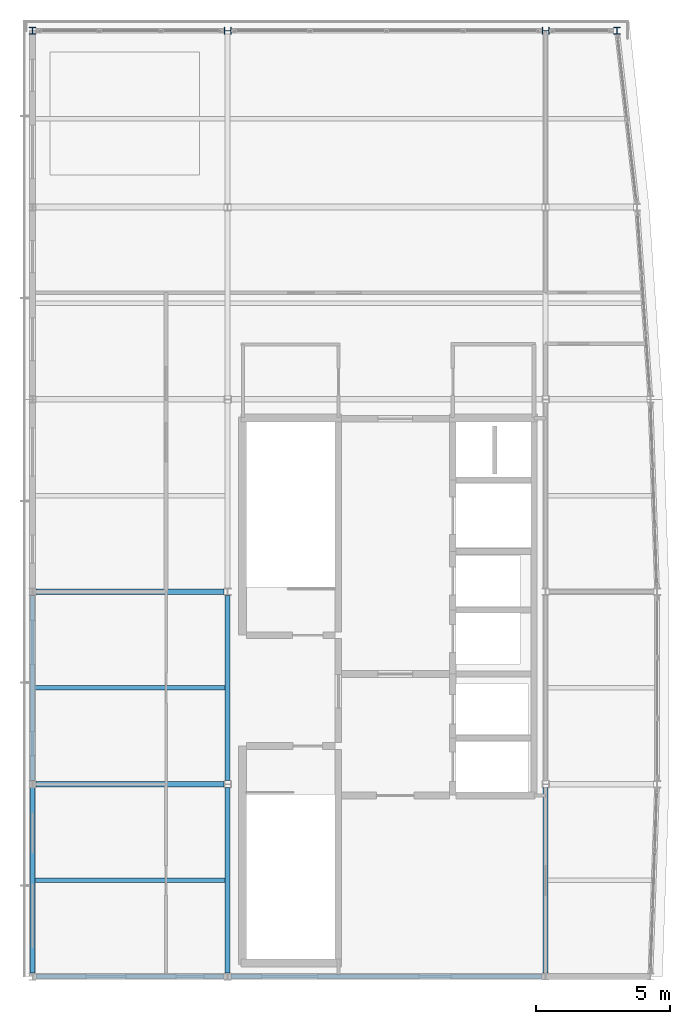
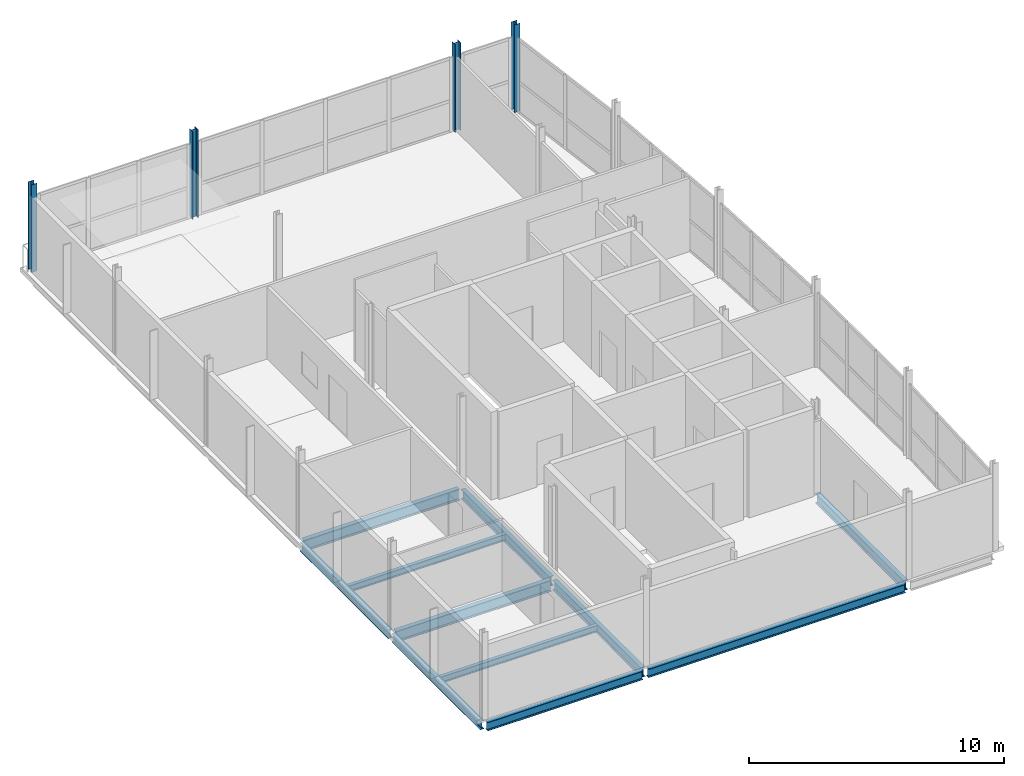
# One storey, part 2 of 14: 11 beams, 4 columns.
"""IFC4 building model written with IfcOpenShell, lengths in metres."""

from ifc_helpers import new_model, si_unit, direction, frame, origin, origin_2d, place, context, subcontext, project, spatial, i_section, extrude, material, material_profile, profile_set, type_object, element, save


model = new_model("IFC4")

# Units and contexts
model_context = context("Model", 3, precision=1e-05, world=origin(), true_north=direction((0.0, 1.0)))
body_context = subcontext(model_context, "Body", "Model", "MODEL_VIEW")
ifc_project = project(units=[si_unit("LENGTHUNIT", "METRE"), si_unit("AREAUNIT", "SQUARE_METRE"), si_unit("VOLUMEUNIT", "CUBIC_METRE"), si_unit("PLANEANGLEUNIT", "RADIAN"), si_unit("MASSUNIT", "GRAM", prefix="KILO")], contexts=[model_context])

# Site, building, storey
site_placement = place(None, origin())
site = spatial("IfcSite", under=ifc_project, at=site_placement, CompositionType="ELEMENT")
building_placement = place(site_placement, origin())
building = spatial("IfcBuilding", under=site, at=building_placement, Name="Quillay Park Conservatory", CompositionType="ELEMENT")
storey_placement = place(building_placement, frame((0.0, 0.0, 64.5)))
storey = spatial("IfcBuildingStorey", under=building, at=storey_placement, Name="L15", CompositionType="ELEMENT", Elevation=64.5)

# Columns
ifc_material_1 = material(Name="Steel ASTM A992 Grade 50", Category="steel")
ifc_material_profile_1 = material_profile(ifc_material_1, i_section(OverallWidth=0.256103515625, OverallDepth=0.260009765625, WebThickness=0.0107421875, FlangeThickness=0.017333984375, FilletRadius=0.012939453125, at=origin_2d()), Name="W250x89")
ifc_profile_set_1 = profile_set([ifc_material_profile_1], Name="Steel ASTM A992 Grade 50")
column_type = type_object("IfcColumnType", Name="COMPOSITE STEEL COLUMN W250 X89", PredefinedType="COLUMN", material=ifc_profile_set_1)
for number, where, z_axis, x_axis, name in (
    (1, (0.550048828125, 113.39990234375, 0.0), (0.0, 0.0, 1.0), (1.0, 0.0, 0.0), "L15 column COL-V4-L15-5-0"),
    (2, (7.85009765625, 113.39990234375, 0.0), (0.0, 0.0, 1.0), (0.0, 1.0, 0.0), "L15 column COL-V4-L15-5-1"),
    (3, (19.75, 113.39990234375, 0.0), (0.0, 0.0, 1.0), (0.0, 1.0, 0.0), "L15 column COL-V4-L15-5-2"),
    (4, (22.425048828125, 113.39990234375, 0.0), (0.0, 0.0, 1.0), (1.0, 0.0, 0.0), "L15 column COL-V4-L15-5-3"),
):
    element("IfcColumn", number, at=place(storey_placement, frame(where, z_axis=z_axis, x_axis=x_axis)), inside=storey, type_object=column_type, Name=name, PredefinedType="COLUMN", context=body_context, shape_type="SweptSolid", body=[
        extrude(i_section(OverallWidth=0.256103515625, OverallDepth=0.260009765625, WebThickness=0.0107421875, FlangeThickness=0.017333984375, FilletRadius=0.012939453125, at=origin_2d()), origin(), (0.0, 0.0, 1.0), 4.199951171875),
    ])

# Beams
ifc_material_2 = material(Name="Steel ASTM A992 Grade 50", Category="steel")
ifc_material_profile_2 = material_profile(ifc_material_2, i_section(OverallWidth=0.166015625, OverallDepth=0.31298828125, WebThickness=0.006591796875, FlangeThickness=0.01123046875, FilletRadius=0.010009765625, at=origin_2d()), Name="W310x45")
ifc_profile_set_2 = profile_set([ifc_material_profile_2], Name="Steel ASTM A992 Grade 50")
beam_type_1 = type_object("IfcBeamType", Name="COMPOSITE FLOOR JOIST W310 X45", PredefinedType="JOIST", material=ifc_profile_set_2)
for number, where, z_axis, x_axis, name in (
    (5, (0.639892578125, 81.60009765625, -0.3564453125), (1.0, 0.0, 0.0), (0.0, 1.0, 0.0), "L15 beam BM-J-1020"),
    (6, (0.639892578125, 88.800048828125, -0.3564453125), (1.0, 0.0, 0.0), (0.0, 1.0, 0.0), "L15 beam BM-J-1026"),
):
    element("IfcBeam", number, at=place(storey_placement, frame(where, z_axis=z_axis, x_axis=x_axis)), inside=storey, type_object=beam_type_1, Name=name, PredefinedType="JOIST", context=body_context, shape_type="SweptSolid", body=[
        extrude(i_section(OverallWidth=0.166015625, OverallDepth=0.31298828125, WebThickness=0.006591796875, FlangeThickness=0.01123046875, FilletRadius=0.010009765625, at=origin_2d()), origin(), (0.0, 0.0, 1.0), 7.114013671875),
    ])
ifc_material_3 = material(Name="Steel ASTM A992 Grade 50", Category="steel")
ifc_material_profile_3 = material_profile(ifc_material_3, i_section(OverallWidth=0.179931640625, OverallDepth=0.4130859375, WebThickness=0.009765625, FlangeThickness=0.01611328125, FilletRadius=0.011962890625, at=origin_2d()), Name="W410x74")
ifc_profile_set_3 = profile_set([ifc_material_profile_3], Name="Steel ASTM A992 Grade 50")
beam_type_2 = type_object("IfcBeamType", Name="PERIMETER SPANDREL BEAM W410 X74", PredefinedType="SPANDREL", material=ifc_profile_set_3)
beam_1_placement = place(storey_placement, frame((0.677978515625, 78.0, -0.406494140625), z_axis=(1.0, 0.0, 0.0), x_axis=(0.0, 1.0, 0.0)))
element("IfcBeam", 7, at=beam_1_placement, inside=storey, type_object=beam_type_2, Name="L15 beam BM-SP-1000", PredefinedType="SPANDREL", context=body_context, shape_type="SweptSolid", body=[
    extrude(i_section(OverallWidth=0.179931640625, OverallDepth=0.4130859375, WebThickness=0.009765625, FlangeThickness=0.01611328125, FilletRadius=0.011962890625, at=origin_2d()), origin(), (0.0, 0.0, 1.0), 7.0439453125),
])
beam_2_placement = place(storey_placement, frame((7.97802734375, 78.0, -0.406494140625), z_axis=(1.0, 0.0, 0.0), x_axis=(0.0, 1.0, 0.0)))
element("IfcBeam", 8, at=beam_2_placement, inside=storey, type_object=beam_type_2, Name="L15 beam BM-SP-1001", PredefinedType="SPANDREL", context=body_context, shape_type="SweptSolid", body=[
    extrude(i_section(OverallWidth=0.179931640625, OverallDepth=0.4130859375, WebThickness=0.009765625, FlangeThickness=0.01611328125, FilletRadius=0.011962890625, at=origin_2d()), origin(), (0.0, 0.0, 1.0), 11.64404296875),
])
beam_3_placement = place(storey_placement, frame((0.550048828125, 78.1298828125, -0.406494140625), z_axis=(0.0, 1.0, 0.0), x_axis=(-1.0, 0.0, 0.0)))
element("IfcBeam", 9, at=beam_3_placement, inside=storey, type_object=beam_type_2, Name="L15 beam BM-SPW-1016", PredefinedType="SPANDREL", context=body_context, shape_type="SweptSolid", body=[
    extrude(i_section(OverallWidth=0.179931640625, OverallDepth=0.4130859375, WebThickness=0.009765625, FlangeThickness=0.01611328125, FilletRadius=0.011962890625, at=origin_2d()), origin(), (0.0, 0.0, 1.0), 6.940185546875),
])
beam_4_placement = place(storey_placement, frame((0.550048828125, 85.330078125, -0.406494140625), z_axis=(0.0, 1.0, 0.0), x_axis=(-1.0, 0.0, 0.0)))
element("IfcBeam", 10, at=beam_4_placement, inside=storey, type_object=beam_type_2, Name="L15 beam BM-SPW-1022", PredefinedType="SPANDREL", context=body_context, shape_type="SweptSolid", body=[
    extrude(i_section(OverallWidth=0.179931640625, OverallDepth=0.4130859375, WebThickness=0.009765625, FlangeThickness=0.01611328125, FilletRadius=0.011962890625, at=origin_2d()), origin(), (0.0, 0.0, 1.0), 6.93994140625),
])
ifc_material_4 = material(Name="Steel ASTM A992 Grade 50", Category="steel")
ifc_material_profile_4 = material_profile(ifc_material_4, i_section(OverallWidth=0.19189453125, OverallDepth=0.462890625, WebThickness=0.010498046875, FlangeThickness=0.017578125, FilletRadius=0.012939453125, at=origin_2d()), Name="W460x89")
ifc_profile_set_4 = profile_set([ifc_material_profile_4], Name="Steel ASTM A992 Grade 50")
beam_type_3 = type_object("IfcBeamType", Name="PRIMARY FLOOR GIRDER W460 X89", PredefinedType="BEAM", material=ifc_profile_set_4)
for number, where, z_axis, x_axis, name in (
    (11, (7.85009765625, 78.1298828125, -0.431396484375), (0.0, 1.0, 0.0), (-1.0, 0.0, 0.0), "L15 beam BM-GNS-1018"),
    (12, (19.75, 78.1298828125, -0.431396484375), (0.0, 1.0, 0.0), (-1.0, 0.0, 0.0), "L15 beam BM-GNS-1019"),
    (13, (7.85009765625, 85.327880859375, -0.431396484375), (0.0, 1.0, 0.0), (-1.0, 0.0, 0.0), "L15 beam BM-GNS-1024"),
):
    element("IfcBeam", number, at=place(storey_placement, frame(where, z_axis=z_axis, x_axis=x_axis)), inside=storey, type_object=beam_type_3, Name=name, PredefinedType="BEAM", context=body_context, shape_type="SweptSolid", body=[
        extrude(i_section(OverallWidth=0.19189453125, OverallDepth=0.462890625, WebThickness=0.010498046875, FlangeThickness=0.017578125, FilletRadius=0.012939453125, at=origin_2d()), origin(), (0.0, 0.0, 1.0), 6.942138671875),
    ])
ifc_material_5 = material(Name="Steel ASTM A992 Grade 50", Category="steel")
ifc_material_profile_5 = material_profile(ifc_material_5, i_section(OverallWidth=0.2109375, OverallDepth=0.5390625, WebThickness=0.01171875, FlangeThickness=0.018798828125, FilletRadius=0.013916015625, at=origin_2d()), Name="W530x109")
ifc_profile_set_5 = profile_set([ifc_material_profile_5], Name="Steel ASTM A992 Grade 50")
beam_type_4 = type_object("IfcBeamType", Name="PRIMARY FLOOR GIRDER W530 X109", PredefinedType="BEAM", material=ifc_profile_set_5)
beam_5_placement = place(storey_placement, frame((0.677978515625, 85.199951171875, -0.469482421875), z_axis=(1.0, 0.0, 0.0), x_axis=(0.0, 1.0, 0.0)))
element("IfcBeam", 14, at=beam_5_placement, inside=storey, type_object=beam_type_4, Name="L15 beam BM-G-1003", PredefinedType="BEAM", context=body_context, shape_type="SweptSolid", body=[
    extrude(i_section(OverallWidth=0.2109375, OverallDepth=0.5390625, WebThickness=0.01171875, FlangeThickness=0.018798828125, FilletRadius=0.013916015625, at=origin_2d()), origin(), (0.0, 0.0, 1.0), 7.0419921875),
])
beam_6_placement = place(storey_placement, frame((0.677978515625, 92.39990234375, -0.469482421875), z_axis=(1.0, 0.0, 0.0), x_axis=(0.0, 1.0, 0.0)))
element("IfcBeam", 15, at=beam_6_placement, inside=storey, type_object=beam_type_4, Name="L15 beam BM-G-1005", PredefinedType="BEAM", context=body_context, shape_type="SweptSolid", body=[
    extrude(i_section(OverallWidth=0.2109375, OverallDepth=0.5390625, WebThickness=0.01171875, FlangeThickness=0.018798828125, FilletRadius=0.013916015625, at=origin_2d()), origin(), (0.0, 0.0, 1.0), 7.0439453125),
])

save(model, "model.ifc")
